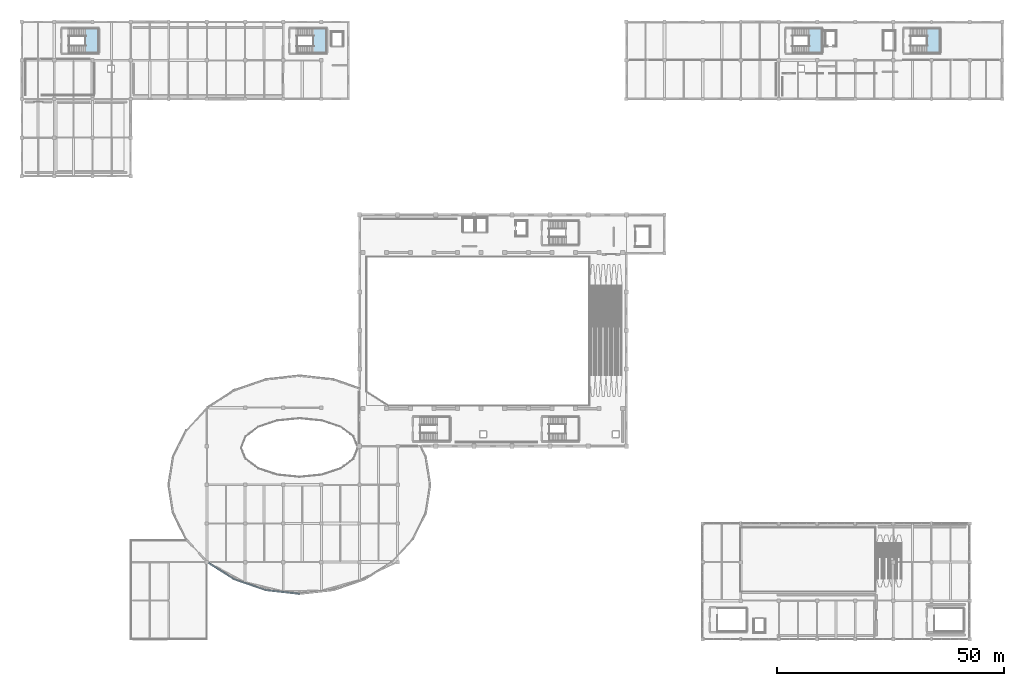
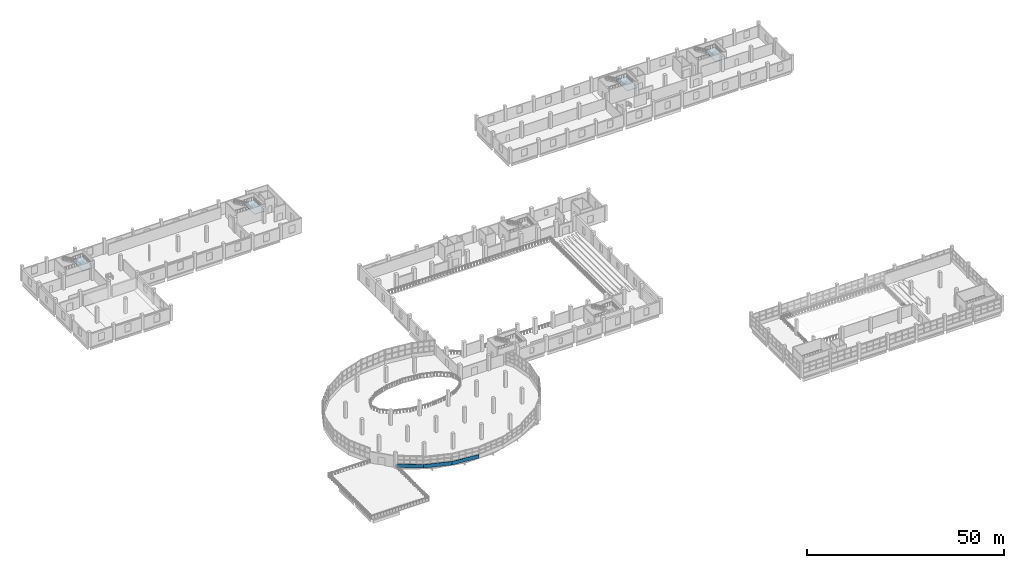
# One storey, part 57 of 77: 4 slabs, 3 walls, 4 elements without a shape of their own.
"""IFC4 building model written with IfcOpenShell, lengths in metres."""

from ifc_helpers import new_model, si_unit, direction, frame, frame_2d, origin, place, context, subcontext, project, spatial, polyline, rectangle, outline, extrude, material, layer, layer_set, type_object, element, aggregate, save


model = new_model("IFC4")

# Units and contexts
model_context = context("Model", 3, precision=1e-05, world=origin(), true_north=direction((0.0, 1.0)))
body_context = subcontext(model_context, "Body", "Model", "MODEL_VIEW")
ifc_project = project(units=[si_unit("LENGTHUNIT", "METRE"), si_unit("AREAUNIT", "SQUARE_METRE"), si_unit("VOLUMEUNIT", "CUBIC_METRE"), si_unit("PLANEANGLEUNIT", "RADIAN"), si_unit("MASSUNIT", "GRAM", prefix="KILO")], contexts=[model_context])

# Site, building, storey
site_placement = place(None, origin())
site = spatial("IfcSite", under=ifc_project, at=site_placement, CompositionType="ELEMENT")
building_placement = place(site_placement, origin())
building = spatial("IfcBuilding", under=site, at=building_placement, Name="Solvento Point Concert Hall", CompositionType="ELEMENT")
storey_placement = place(building_placement, frame((0.0, 0.0, 10.199951171875)))
storey = spatial("IfcBuildingStorey", under=building, at=storey_placement, Name="L02", CompositionType="ELEMENT", Elevation=10.199951171875)

# Stair, slab
ifc_material_1 = material(Name="Concrete C35/45", Category="concrete")
stair_type_1 = type_object("IfcStairType", Name="CoreStair_1600", PredefinedType="HALF_TURN_STAIR", material=ifc_material_1)
stair_1_placement = place(storey_placement, origin())
stair_1 = element("IfcStair", 1, at=stair_1_placement, inside=storey, type_object=stair_type_1, Name="Protected exit stair ST-01 (L02 to L03)", PredefinedType="HALF_TURN_STAIR")
ifc_material_2 = material(Name="Concrete C35/45", Category="concrete")
ifc_layer_1 = layer(ifc_material_2, 0.179931640625)
ifc_layer_set_1 = layer_set([ifc_layer_1], Name="Concrete C35/45")
slab_type = type_object("IfcSlabType", Name="StairLanding_180", PredefinedType="LANDING", material=ifc_layer_set_1)
slab_1_placement = place(storey_placement, frame((0.0, 0.0, 2.219970703125)))
slab_1 = element("IfcSlab", 2, at=slab_1_placement, type_object=slab_type, Name="Stair half-landing ST-01 L02", PredefinedType="LANDING", context=body_context, shape_type="SweptSolid", body=[
    extrude(outline(polyline([(173.320068359375, 128.9599609375), (176.43994140625, 128.9599609375), (176.43994140625, 134.639892578125), (173.320068359375, 134.639892578125), (173.320068359375, 128.9599609375)])), origin(), (0.0, 0.0, 1.0), 0.18017578125),
])
aggregate(stair_1, [slab_1])

ifc_material_3 = material(Name="Concrete C35/45", Category="concrete")
stair_type_2 = type_object("IfcStairType", Name="CoreStair_1680", PredefinedType="HALF_TURN_STAIR", material=ifc_material_3)
stair_2_placement = place(storey_placement, origin())
stair_2 = element("IfcStair", 3, at=stair_2_placement, inside=storey, type_object=stair_type_2, Name="Protected exit stair ST-02 (L02 to L03)", PredefinedType="HALF_TURN_STAIR")
slab_2_placement = place(storey_placement, frame((0.0, 0.0, 2.219970703125)))
slab_2 = element("IfcSlab", 4, at=slab_2_placement, type_object=slab_type, Name="Stair half-landing ST-02 L02", PredefinedType="LANDING", context=body_context, shape_type="SweptSolid", body=[
    extrude(outline(polyline([(199.320068359375, 128.9599609375), (202.43994140625, 128.9599609375), (202.43994140625, 134.639892578125), (199.320068359375, 134.639892578125), (199.320068359375, 128.9599609375)])), origin(), (0.0, 0.0, 1.0), 0.18017578125),
])
aggregate(stair_2, [slab_2])

stair_3_placement = place(storey_placement, origin())
stair_3 = element("IfcStair", 5, at=stair_3_placement, inside=storey, type_object=stair_type_1, Name="Protected exit stair ST-04 (L02 to L03)", PredefinedType="HALF_TURN_STAIR")
slab_3_placement = place(storey_placement, frame((0.0, 0.0, 2.219970703125)))
slab_3 = element("IfcSlab", 6, at=slab_3_placement, type_object=slab_type, Name="Stair half-landing ST-04 L02", PredefinedType="LANDING", context=body_context, shape_type="SweptSolid", body=[
    extrude(outline(polyline([(64.1201171875, 128.9599609375), (67.239990234375, 128.9599609375), (67.239990234375, 134.639892578125), (64.1201171875, 134.639892578125), (64.1201171875, 128.9599609375)])), origin(), (0.0, 0.0, 1.0), 0.18017578125),
])
aggregate(stair_3, [slab_3])

stair_4_placement = place(storey_placement, origin())
stair_4 = element("IfcStair", 7, at=stair_4_placement, inside=storey, type_object=stair_type_2, Name="Protected exit stair ST-05 (L02 to L03)", PredefinedType="HALF_TURN_STAIR")
slab_4_placement = place(storey_placement, frame((0.0, 0.0, 2.219970703125)))
slab_4 = element("IfcSlab", 8, at=slab_4_placement, type_object=slab_type, Name="Stair half-landing ST-05 L02", PredefinedType="LANDING", context=body_context, shape_type="SweptSolid", body=[
    extrude(outline(polyline([(13.919921875, 128.9599609375), (17.0400390625, 128.9599609375), (17.0400390625, 134.639892578125), (13.919921875, 134.639892578125), (13.919921875, 128.9599609375)])), origin(), (0.0, 0.0, 1.0), 0.18017578125),
])
aggregate(stair_4, [slab_4])

# Walls
ifc_material_4 = material(Name="Concrete C40/50", Category="concrete")
ifc_layer_2 = layer(ifc_material_4, 0.260009765625)
ifc_layer_set_2 = layer_set([ifc_layer_2], Name="Concrete C40/50")
wall_type = type_object("IfcWallType", Name="Parapet_Ring_260", PredefinedType="PARAPET", material=ifc_layer_set_2)
wall_1_placement = place(storey_placement, frame((61.199951171875, 10.0, 0.0), z_axis=(0.0, 0.0, 1.0), x_axis=(-0.99403407861, 0.109069934275, 0.0)))
element("IfcWall", 9, at=wall_1_placement, inside=storey, type_object=wall_type, Name="Sliding elliptical white concrete ring spandrel PR-01 L02", PredefinedType="PARAPET", context=body_context, shape_type="SweptSolid", body=[
    extrude(rectangle(XDim=7.49853515625, YDim=0.260009765625, at=frame_2d((3.749267578125, 0.0))), origin(), (0.0, 0.0, 1.0), 1.1201171875),
])
wall_2_placement = place(storey_placement, frame((53.74609375, 10.81787109375, 0.0), z_axis=(0.0, 0.0, 1.0), x_axis=(-0.945277609802, 0.326267130444, 0.0)))
element("IfcWall", 10, at=wall_2_placement, inside=storey, type_object=wall_type, Name="Sliding elliptical white concrete ring spandrel PR-01 L02", PredefinedType="PARAPET", context=body_context, shape_type="SweptSolid", body=[
    extrude(rectangle(XDim=7.34814453125, YDim=0.260009765625, at=frame_2d((3.674072265625, 0.0))), origin(), (0.0, 0.0, 1.0), 1.1201171875),
])
wall_3_placement = place(storey_placement, frame((46.800048828125, 13.21533203125, 0.0), z_axis=(0.0, 0.0, 1.0), x_axis=(-0.842489930614, 0.538712090836, 0.0)))
element("IfcWall", 11, at=wall_3_placement, inside=storey, type_object=wall_type, Name="Sliding elliptical white concrete ring spandrel PR-01 L02", PredefinedType="PARAPET", context=body_context, shape_type="SweptSolid", body=[
    extrude(rectangle(XDim=6.65283203125, YDim=0.260009765625, at=frame_2d((3.326416015625, 0.0))), origin(), (0.0, 0.0, 1.0), 1.1201171875),
])

save(model, "model.ifc")
